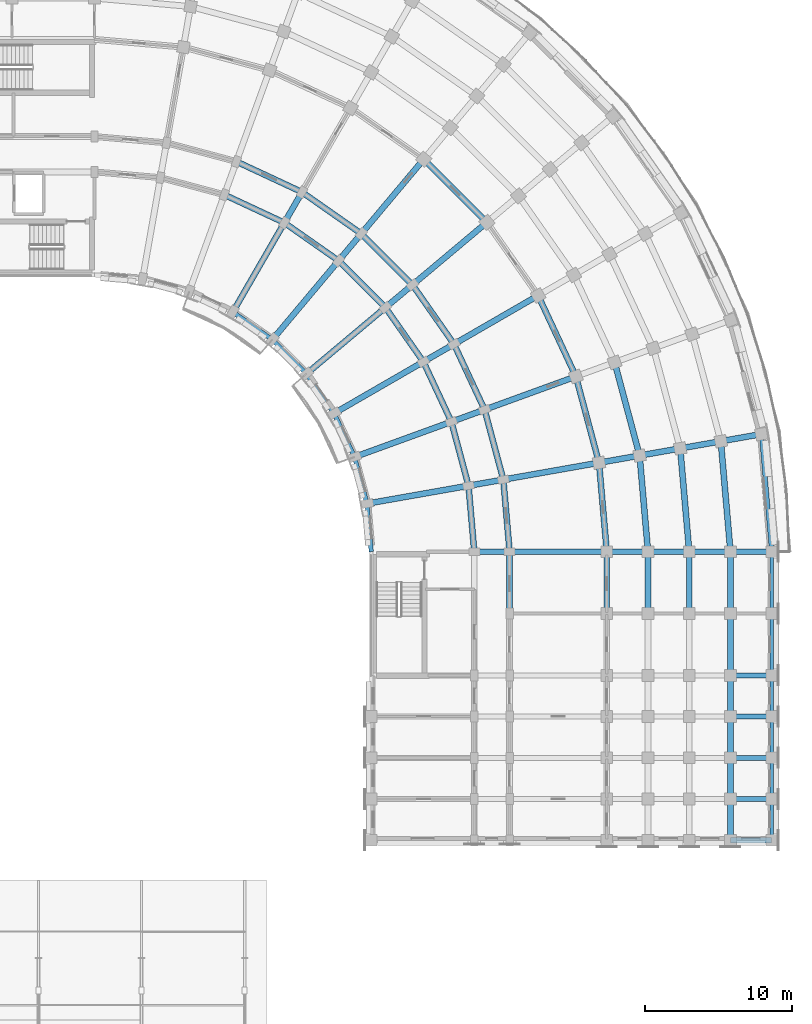
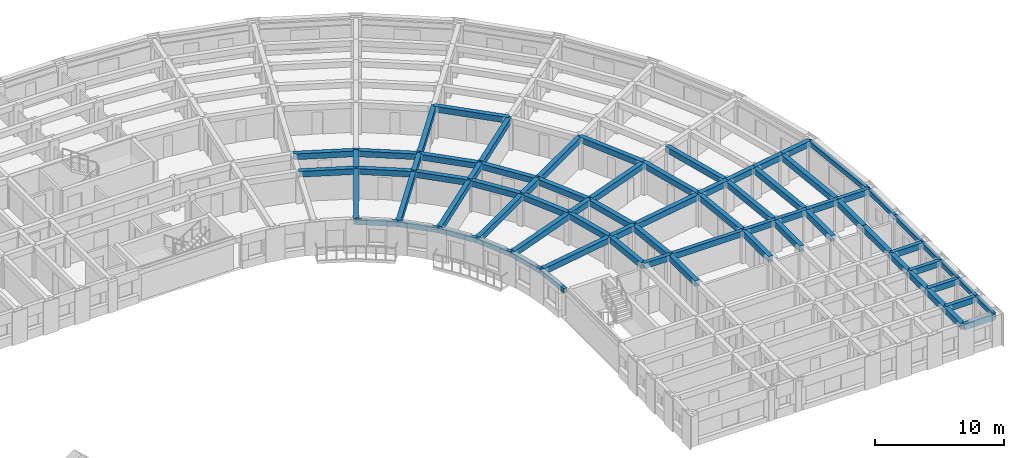
# One storey, part 24 of 76: 77 beams.
"""IFC4 building model written with IfcOpenShell, lengths in metres."""

from ifc_helpers import new_model, si_unit, direction, frame, origin, origin_2d, place, context, subcontext, project, spatial, rectangle, extrude, material, material_profile, profile_set, type_object, element, save


model = new_model("IFC4")

# Units and contexts
model_context = context("Model", 3, precision=1e-05, world=origin(), true_north=direction((0.0, 1.0)))
body_context = subcontext(model_context, "Body", "Model", "MODEL_VIEW")
ifc_project = project(units=[si_unit("LENGTHUNIT", "METRE"), si_unit("AREAUNIT", "SQUARE_METRE"), si_unit("VOLUMEUNIT", "CUBIC_METRE"), si_unit("PLANEANGLEUNIT", "RADIAN"), si_unit("MASSUNIT", "GRAM", prefix="KILO")], contexts=[model_context])

# Site, building, storey
site_placement = place(None, origin())
site = spatial("IfcSite", under=ifc_project, at=site_placement, CompositionType="ELEMENT")
building_placement = place(site_placement, origin())
building = spatial("IfcBuilding", under=site, at=building_placement, Name="Kiranvali Square Residences", CompositionType="ELEMENT")
storey_placement = place(building_placement, frame((0.0, 0.0, 8.699951171875)))
storey = spatial("IfcBuildingStorey", under=building, at=storey_placement, Name="L02", CompositionType="ELEMENT", Elevation=8.699951171875)

# Beams
ifc_material_1 = material(Name="Concrete M40 (40 MPa)", Category="concrete")
ifc_material_profile_1 = material_profile(ifc_material_1, rectangle(XDim=0.35009765625, YDim=0.550048828125, at=origin_2d()), Name="RC 350x550")
ifc_profile_set_1 = profile_set([ifc_material_profile_1], Name="Concrete M40 (40 MPa)")
beam_type_1 = type_object("IfcBeamType", Name="BM-M40-350x550", PredefinedType="BEAM", material=ifc_profile_set_1)
beam_1_placement = place(storey_placement, frame((145.60009765625, 87.800048828125, 2.655029296875), z_axis=(1.0, 0.0, 0.0), x_axis=(0.0, 1.0, 0.0)))
element("IfcBeam", 1, at=beam_1_placement, inside=storey, type_object=beam_type_1, Name="L02 beam BM-B-L02-A2T0-12", PredefinedType="BEAM", context=body_context, shape_type="SweptSolid", body=[
    extrude(rectangle(XDim=0.35009765625, YDim=0.550048828125, at=origin_2d()), origin(), (0.0, 0.0, 1.0), 2.39990234375),
])
beam_2_placement = place(storey_placement, frame((148.0, 87.800048828125, 2.655029296875), z_axis=(1.0, 0.0, 0.0), x_axis=(0.0, 1.0, 0.0)))
element("IfcBeam", 2, at=beam_2_placement, inside=storey, type_object=beam_type_1, Name="L02 beam BM-B-L02-A2T0-23", PredefinedType="BEAM", context=body_context, shape_type="SweptSolid", body=[
    extrude(rectangle(XDim=0.35009765625, YDim=0.550048828125, at=origin_2d()), origin(), (0.0, 0.0, 1.0), 6.60009765625),
])
beam_3_placement = place(storey_placement, frame((154.60009765625, 87.800048828125, 2.655029296875), z_axis=(1.0, 0.0, 0.0), x_axis=(0.0, 1.0, 0.0)))
element("IfcBeam", 3, at=beam_3_placement, inside=storey, type_object=beam_type_1, Name="L02 beam BM-B-L02-A2T0-34", PredefinedType="BEAM", context=body_context, shape_type="SweptSolid", body=[
    extrude(rectangle(XDim=0.35009765625, YDim=0.550048828125, at=origin_2d()), origin(), (0.0, 0.0, 1.0), 2.7998046875),
])
for number, where, z_axis, x_axis, name in (
    (4, (157.39990234375, 87.800048828125, 2.655029296875), (1.0, 0.0, 0.0), (0.0, 1.0, 0.0), "L02 beam BM-B-L02-A2T0-45"),
    (5, (160.199951171875, 87.800048828125, 2.655029296875), (1.0, 0.0, 0.0), (0.0, 1.0, 0.0), "L02 beam BM-B-L02-A2T0-56"),
    (6, (163.0, 87.800048828125, 2.655029296875), (1.0, 0.0, 0.0), (0.0, 1.0, 0.0), "L02 beam BM-B-L02-A2T0-67"),
    (7, (163.0, 79.39990234375, 2.655029296875), (1.0, 0.0, 0.0), (0.0, 1.0, 0.0), "L02 beam BM-B-L02-A2T1-67"),
    (8, (163.0, 76.60009765625, 2.655029296875), (1.0, 0.0, 0.0), (0.0, 1.0, 0.0), "L02 beam BM-B-L02-A2T2-67"),
    (9, (163.0, 73.800048828125, 2.655029296875), (1.0, 0.0, 0.0), (0.0, 1.0, 0.0), "L02 beam BM-B-L02-A2T3-67"),
    (10, (163.0, 71.0, 2.655029296875), (1.0, 0.0, 0.0), (0.0, 1.0, 0.0), "L02 beam BM-B-L02-A2T4-67"),
    (11, (163.0, 68.199951171875, 2.655029296875), (1.0, 0.0, 0.0), (0.0, 1.0, 0.0), "L02 beam BM-B-L02-A2T5-67"),
):
    element("IfcBeam", number, at=place(storey_placement, frame(where, z_axis=z_axis, x_axis=x_axis)), inside=storey, type_object=beam_type_1, Name=name, PredefinedType="BEAM", context=body_context, shape_type="SweptSolid", body=[
        extrude(rectangle(XDim=0.35009765625, YDim=0.550048828125, at=origin_2d()), origin(), (0.0, 0.0, 1.0), 2.800048828125),
    ])
ifc_material_2 = material(Name="Concrete M45 (45 MPa)", Category="concrete")
ifc_material_profile_2 = material_profile(ifc_material_2, rectangle(XDim=0.39990234375, YDim=0.550048828125, at=origin_2d()), Name="RC 400x550")
ifc_profile_set_2 = profile_set([ifc_material_profile_2], Name="Concrete M45 (45 MPa)")
beam_type_2 = type_object("IfcBeamType", Name="BM-M45-400x550", PredefinedType="BEAM", material=ifc_profile_set_2)
beam_4_placement = place(storey_placement, frame((128.6240234375, 112.044189453125, 2.655029296875), z_axis=(0.906307919131, -0.422617978463, 0.0), x_axis=(0.422617978463, 0.906307919131, 0.0)))
element("IfcBeam", 12, at=beam_4_placement, inside=storey, type_object=beam_type_2, Name="L02 beam BM-B-L02-C02-R1", PredefinedType="BEAM", context=body_context, shape_type="SweptSolid", body=[
    extrude(rectangle(XDim=0.39990234375, YDim=0.550048828125, at=origin_2d()), origin(), (0.0, 0.0, 1.0), 4.497314453125),
])
beam_5_placement = place(storey_placement, frame((129.445068359375, 114.29931640625, 2.655029296875), z_axis=(0.906302381024, -0.422629854778, 0.0), x_axis=(0.422629854778, 0.906302381024, 0.0)))
element("IfcBeam", 13, at=beam_5_placement, inside=storey, type_object=beam_type_2, Name="L02 beam BM-B-L02-C02-R2", PredefinedType="BEAM", context=body_context, shape_type="SweptSolid", body=[
    extrude(rectangle(XDim=0.39990234375, YDim=0.550048828125, at=origin_2d()), origin(), (0.0, 0.0, 1.0), 4.915283203125),
])
beam_6_placement = place(storey_placement, frame((132.699951171875, 110.1435546875, 2.655029296875), z_axis=(0.819155404658, -0.573571637217, 0.0), x_axis=(0.573571637217, 0.819155404658, 0.0)))
element("IfcBeam", 14, at=beam_6_placement, inside=storey, type_object=beam_type_2, Name="L02 beam BM-B-L02-C03-R1", PredefinedType="BEAM", context=body_context, shape_type="SweptSolid", body=[
    extrude(rectangle(XDim=0.39990234375, YDim=0.550048828125, at=origin_2d()), origin(), (0.0, 0.0, 1.0), 4.497314453125),
])
beam_7_placement = place(storey_placement, frame((133.89990234375, 112.221923828125, 2.655029296875), z_axis=(0.819140911474, -0.573592335331, 0.0), x_axis=(0.573592335331, 0.819140911474, 0.0)))
element("IfcBeam", 15, at=beam_7_placement, inside=storey, type_object=beam_type_2, Name="L02 beam BM-B-L02-C03-R2", PredefinedType="BEAM", context=body_context, shape_type="SweptSolid", body=[
    extrude(rectangle(XDim=0.39990234375, YDim=0.550048828125, at=origin_2d()), origin(), (0.0, 0.0, 1.0), 4.915771484375),
])
beam_8_placement = place(storey_placement, frame((136.384033203125, 107.56396484375, 2.655029296875), z_axis=(0.707106781187, -0.707106781187, 0.0), x_axis=(0.707106781187, 0.707106781187, 0.0)))
element("IfcBeam", 16, at=beam_8_placement, inside=storey, type_object=beam_type_2, Name="L02 beam BM-B-L02-C04-R1", PredefinedType="BEAM", context=body_context, shape_type="SweptSolid", body=[
    extrude(rectangle(XDim=0.39990234375, YDim=0.550048828125, at=origin_2d()), origin(), (0.0, 0.0, 1.0), 4.4970703125),
])
beam_9_placement = place(storey_placement, frame((137.926513671875, 109.40234375, 2.655029296875), z_axis=(0.707106781187, -0.707106781187, 0.0), x_axis=(0.707106781187, 0.707106781187, 0.0)))
element("IfcBeam", 17, at=beam_9_placement, inside=storey, type_object=beam_type_2, Name="L02 beam BM-B-L02-C04-R2", PredefinedType="BEAM", context=body_context, shape_type="SweptSolid", body=[
    extrude(rectangle(XDim=0.39990234375, YDim=0.550048828125, at=origin_2d()), origin(), (0.0, 0.0, 1.0), 4.91552734375),
])
beam_10_placement = place(storey_placement, frame((142.1689453125, 114.458251953125, 2.655029296875), z_axis=(0.707106781187, -0.707106781187, 0.0), x_axis=(0.707106781187, 0.707106781187, 0.0)))
element("IfcBeam", 18, at=beam_10_placement, inside=storey, type_object=beam_type_2, Name="L02 beam BM-B-L02-C04-R3", PredefinedType="BEAM", context=body_context, shape_type="SweptSolid", body=[
    extrude(rectangle(XDim=0.39990234375, YDim=0.550048828125, at=origin_2d()), origin(), (0.0, 0.0, 1.0), 6.06591796875),
])
beam_11_placement = place(storey_placement, frame((139.56396484375, 104.384033203125, 2.655029296875), z_axis=(0.573571637217, -0.819155404658, 0.0), x_axis=(0.819155404658, 0.573571637217, 0.0)))
element("IfcBeam", 19, at=beam_11_placement, inside=storey, type_object=beam_type_2, Name="L02 beam BM-B-L02-C05-R1", PredefinedType="BEAM", context=body_context, shape_type="SweptSolid", body=[
    extrude(rectangle(XDim=0.39990234375, YDim=0.550048828125, at=origin_2d()), origin(), (0.0, 0.0, 1.0), 4.497314453125),
])
beam_12_placement = place(storey_placement, frame((141.40234375, 105.926513671875, 2.655029296875), z_axis=(0.573592335331, -0.819140911474, 0.0), x_axis=(0.819140911474, 0.573592335331, 0.0)))
element("IfcBeam", 20, at=beam_12_placement, inside=storey, type_object=beam_type_2, Name="L02 beam BM-B-L02-C05-R2", PredefinedType="BEAM", context=body_context, shape_type="SweptSolid", body=[
    extrude(rectangle(XDim=0.39990234375, YDim=0.550048828125, at=origin_2d()), origin(), (0.0, 0.0, 1.0), 4.915771484375),
])
beam_13_placement = place(storey_placement, frame((142.1435546875, 100.699951171875, 2.655029296875), z_axis=(0.422617978463, -0.906307919131, 0.0), x_axis=(0.906307919131, 0.422617978463, 0.0)))
element("IfcBeam", 21, at=beam_13_placement, inside=storey, type_object=beam_type_2, Name="L02 beam BM-B-L02-C06-R1", PredefinedType="BEAM", context=body_context, shape_type="SweptSolid", body=[
    extrude(rectangle(XDim=0.39990234375, YDim=0.550048828125, at=origin_2d()), origin(), (0.0, 0.0, 1.0), 4.497314453125),
])
beam_14_placement = place(storey_placement, frame((144.221923828125, 101.89990234375, 2.655029296875), z_axis=(0.422629854778, -0.906302381024, 0.0), x_axis=(0.906302381024, 0.422629854778, 0.0)))
element("IfcBeam", 22, at=beam_14_placement, inside=storey, type_object=beam_type_2, Name="L02 beam BM-B-L02-C06-R2", PredefinedType="BEAM", context=body_context, shape_type="SweptSolid", body=[
    extrude(rectangle(XDim=0.39990234375, YDim=0.550048828125, at=origin_2d()), origin(), (0.0, 0.0, 1.0), 4.915283203125),
])
beam_15_placement = place(storey_placement, frame((149.937744140625, 105.199951171875, 2.655029296875), z_axis=(0.42260781991, -0.906312656069, 0.0), x_axis=(0.906312656069, 0.42260781991, 0.0)))
element("IfcBeam", 23, at=beam_15_placement, inside=storey, type_object=beam_type_2, Name="L02 beam BM-B-L02-C06-R3", PredefinedType="BEAM", context=body_context, shape_type="SweptSolid", body=[
    extrude(rectangle(XDim=0.39990234375, YDim=0.550048828125, at=origin_2d()), origin(), (0.0, 0.0, 1.0), 6.06591796875),
])
beam_16_placement = place(storey_placement, frame((144.044189453125, 96.6240234375, 2.655029296875), z_axis=(0.258787642463, -0.965934240054, 0.0), x_axis=(0.965934240054, 0.258787642463, 0.0)))
element("IfcBeam", 24, at=beam_16_placement, inside=storey, type_object=beam_type_2, Name="L02 beam BM-B-L02-C07-R1", PredefinedType="BEAM", context=body_context, shape_type="SweptSolid", body=[
    extrude(rectangle(XDim=0.39990234375, YDim=0.550048828125, at=origin_2d()), origin(), (0.0, 0.0, 1.0), 4.497314453125),
])
beam_17_placement = place(storey_placement, frame((146.29931640625, 97.445068359375, 2.655029296875), z_axis=(0.258803112091, -0.965930095386, 0.0), x_axis=(0.965930095386, 0.258803112091, 0.0)))
element("IfcBeam", 25, at=beam_17_placement, inside=storey, type_object=beam_type_2, Name="L02 beam BM-B-L02-C07-R2", PredefinedType="BEAM", context=body_context, shape_type="SweptSolid", body=[
    extrude(rectangle(XDim=0.39990234375, YDim=0.550048828125, at=origin_2d()), origin(), (0.0, 0.0, 1.0), 4.915771484375),
])
beam_18_placement = place(storey_placement, frame((152.501220703125, 99.702392578125, 2.655029296875), z_axis=(0.258827283048, -0.965923618901, 0.0), x_axis=(0.965923618901, 0.258827283048, 0.0)))
element("IfcBeam", 26, at=beam_18_placement, inside=storey, type_object=beam_type_2, Name="L02 beam BM-B-L02-C07-R3", PredefinedType="BEAM", context=body_context, shape_type="SweptSolid", body=[
    extrude(rectangle(XDim=0.39990234375, YDim=0.550048828125, at=origin_2d()), origin(), (0.0, 0.0, 1.0), 6.066162109375),
])
beam_19_placement = place(storey_placement, frame((155.13232421875, 100.659912109375, 2.655029296875), z_axis=(0.258847178297, -0.965918287583, 0.0), x_axis=(0.965918287583, 0.258847178297, 0.0)))
element("IfcBeam", 27, at=beam_19_placement, inside=storey, type_object=beam_type_2, Name="L02 beam BM-B-L02-C07-R4", PredefinedType="BEAM", context=body_context, shape_type="SweptSolid", body=[
    extrude(rectangle(XDim=0.39990234375, YDim=0.550048828125, at=origin_2d()), origin(), (0.0, 0.0, 1.0), 6.55419921875),
])
beam_20_placement = place(storey_placement, frame((145.2080078125, 92.280029296875, 2.655029296875), z_axis=(0.087187153726, -0.996191949488, 0.0), x_axis=(0.996191949488, 0.087187153726, 0.0)))
element("IfcBeam", 28, at=beam_20_placement, inside=storey, type_object=beam_type_2, Name="L02 beam BM-B-L02-C08-R1", PredefinedType="BEAM", context=body_context, shape_type="SweptSolid", body=[
    extrude(rectangle(XDim=0.39990234375, YDim=0.550048828125, at=origin_2d()), origin(), (0.0, 0.0, 1.0), 4.4970703125),
])
beam_21_placement = place(storey_placement, frame((147.571533203125, 92.69677734375, 2.655029296875), z_axis=(0.087167566415, -0.996193663584, 0.0), x_axis=(0.996193663584, 0.087167566415, 0.0)))
element("IfcBeam", 29, at=beam_21_placement, inside=storey, type_object=beam_type_2, Name="L02 beam BM-B-L02-C08-R2", PredefinedType="BEAM", context=body_context, shape_type="SweptSolid", body=[
    extrude(rectangle(XDim=0.39990234375, YDim=0.550048828125, at=origin_2d()), origin(), (0.0, 0.0, 1.0), 4.91552734375),
])
beam_22_placement = place(storey_placement, frame((154.0712890625, 93.843017578125, 2.655029296875), z_axis=(0.087174938512, -0.996193018494, 0.0), x_axis=(0.996193018494, 0.087174938512, 0.0)))
element("IfcBeam", 30, at=beam_22_placement, inside=storey, type_object=beam_type_2, Name="L02 beam BM-B-L02-C08-R3", PredefinedType="BEAM", context=body_context, shape_type="SweptSolid", body=[
    extrude(rectangle(XDim=0.39990234375, YDim=0.550048828125, at=origin_2d()), origin(), (0.0, 0.0, 1.0), 6.066162109375),
])
beam_23_placement = place(storey_placement, frame((156.828857421875, 94.3291015625, 2.655029296875), z_axis=(0.0871295204, -0.996196991902, 0.0), x_axis=(0.996196991902, 0.0871295204, 0.0)))
element("IfcBeam", 31, at=beam_23_placement, inside=storey, type_object=beam_type_2, Name="L02 beam BM-B-L02-C08-R4", PredefinedType="BEAM", context=body_context, shape_type="SweptSolid", body=[
    extrude(rectangle(XDim=0.39990234375, YDim=0.550048828125, at=origin_2d()), origin(), (0.0, 0.0, 1.0), 6.553955078125),
])
beam_24_placement = place(storey_placement, frame((159.586181640625, 94.8154296875, 2.655029296875), z_axis=(0.087156198737, -0.996194658198, 0.0), x_axis=(0.996194658198, 0.087156198737, 0.0)))
element("IfcBeam", 32, at=beam_24_placement, inside=storey, type_object=beam_type_2, Name="L02 beam BM-B-L02-C08-R5", PredefinedType="BEAM", context=body_context, shape_type="SweptSolid", body=[
    extrude(rectangle(XDim=0.39990234375, YDim=0.550048828125, at=origin_2d()), origin(), (0.0, 0.0, 1.0), 7.042236328125),
])
beam_25_placement = place(storey_placement, frame((162.34375, 95.301513671875, 2.655029296875), z_axis=(0.087150058103, -0.996195195417, 0.0), x_axis=(0.996195195417, 0.087150058103, 0.0)))
element("IfcBeam", 33, at=beam_25_placement, inside=storey, type_object=beam_type_2, Name="L02 beam BM-B-L02-C08-R6", PredefinedType="BEAM", context=body_context, shape_type="SweptSolid", body=[
    extrude(rectangle(XDim=0.39990234375, YDim=0.550048828125, at=origin_2d()), origin(), (0.0, 0.0, 1.0), 7.530029296875),
])
beam_26_placement = place(storey_placement, frame((129.199951171875, 104.081298828125, 2.655029296875), z_axis=(0.499995173006, 0.866028190633, 0.0), x_axis=(-0.866028190633, 0.499995173006, 0.0)))
element("IfcBeam", 34, at=beam_26_placement, inside=storey, type_object=beam_type_2, Name="L02 beam BM-B-L02-RAD03-01", PredefinedType="BEAM", context=body_context, shape_type="SweptSolid", body=[
    extrude(rectangle(XDim=0.39990234375, YDim=0.550048828125, at=origin_2d()), origin(), (0.0, 0.0, 1.0), 7.0),
])
beam_27_placement = place(storey_placement, frame((132.699951171875, 110.1435546875, 2.655029296875), z_axis=(0.500001309137, 0.866024647952, 0.0), x_axis=(-0.866024647952, 0.500001309137, 0.0)))
element("IfcBeam", 35, at=beam_27_placement, inside=storey, type_object=beam_type_2, Name="L02 beam BM-B-L02-RAD03-12", PredefinedType="BEAM", context=body_context, shape_type="SweptSolid", body=[
    extrude(rectangle(XDim=0.39990234375, YDim=0.550048828125, at=origin_2d()), origin(), (0.0, 0.0, 1.0), 2.39990234375),
])
beam_28_placement = place(storey_placement, frame((131.884521484375, 102.20166015625, 2.655029296875), z_axis=(0.642787931032, 0.766044173478, 0.0), x_axis=(-0.766044173478, 0.642787931032, 0.0)))
element("IfcBeam", 36, at=beam_28_placement, inside=storey, type_object=beam_type_2, Name="L02 beam BM-B-L02-RAD04-01", PredefinedType="BEAM", context=body_context, shape_type="SweptSolid", body=[
    extrude(rectangle(XDim=0.39990234375, YDim=0.550048828125, at=origin_2d()), origin(), (0.0, 0.0, 1.0), 7.0),
])
beam_29_placement = place(storey_placement, frame((136.384033203125, 107.56396484375, 2.655029296875), z_axis=(0.642762521781, 0.766065493671, 0.0), x_axis=(-0.766065493671, 0.642762521781, 0.0)))
element("IfcBeam", 37, at=beam_29_placement, inside=storey, type_object=beam_type_2, Name="L02 beam BM-B-L02-RAD04-12", PredefinedType="BEAM", context=body_context, shape_type="SweptSolid", body=[
    extrude(rectangle(XDim=0.39990234375, YDim=0.550048828125, at=origin_2d()), origin(), (0.0, 0.0, 1.0), 2.399658203125),
])
beam_30_placement = place(storey_placement, frame((137.926513671875, 109.40234375, 2.655029296875), z_axis=(0.642789470807, 0.766042881449, 0.0), x_axis=(-0.766042881449, 0.642789470807, 0.0)))
element("IfcBeam", 38, at=beam_30_placement, inside=storey, type_object=beam_type_2, Name="L02 beam BM-B-L02-RAD04-23", PredefinedType="BEAM", context=body_context, shape_type="SweptSolid", body=[
    extrude(rectangle(XDim=0.39990234375, YDim=0.550048828125, at=origin_2d()), origin(), (0.0, 0.0, 1.0), 6.60009765625),
])
beam_31_placement = place(storey_placement, frame((134.20166015625, 99.884521484375, 2.655029296875), z_axis=(0.766044173478, 0.642787931032, 0.0), x_axis=(-0.642787931032, 0.766044173478, 0.0)))
element("IfcBeam", 39, at=beam_31_placement, inside=storey, type_object=beam_type_2, Name="L02 beam BM-B-L02-RAD05-01", PredefinedType="BEAM", context=body_context, shape_type="SweptSolid", body=[
    extrude(rectangle(XDim=0.39990234375, YDim=0.550048828125, at=origin_2d()), origin(), (0.0, 0.0, 1.0), 7.0),
])
beam_32_placement = place(storey_placement, frame((139.56396484375, 104.384033203125, 2.655029296875), z_axis=(0.766065493671, 0.642762521781, 0.0), x_axis=(-0.642762521781, 0.766065493671, 0.0)))
element("IfcBeam", 40, at=beam_32_placement, inside=storey, type_object=beam_type_2, Name="L02 beam BM-B-L02-RAD05-12", PredefinedType="BEAM", context=body_context, shape_type="SweptSolid", body=[
    extrude(rectangle(XDim=0.39990234375, YDim=0.550048828125, at=origin_2d()), origin(), (0.0, 0.0, 1.0), 2.399658203125),
])
beam_33_placement = place(storey_placement, frame((141.40234375, 105.926513671875, 2.655029296875), z_axis=(0.766042881449, 0.642789470807, 0.0), x_axis=(-0.642789470807, 0.766042881449, 0.0)))
element("IfcBeam", 41, at=beam_33_placement, inside=storey, type_object=beam_type_2, Name="L02 beam BM-B-L02-RAD05-23", PredefinedType="BEAM", context=body_context, shape_type="SweptSolid", body=[
    extrude(rectangle(XDim=0.39990234375, YDim=0.550048828125, at=origin_2d()), origin(), (0.0, 0.0, 1.0), 6.60009765625),
])
beam_34_placement = place(storey_placement, frame((136.081298828125, 97.199951171875, 2.655029296875), z_axis=(0.866028190633, 0.499995173006, 0.0), x_axis=(-0.499995173006, 0.866028190633, 0.0)))
element("IfcBeam", 42, at=beam_34_placement, inside=storey, type_object=beam_type_2, Name="L02 beam BM-B-L02-RAD06-01", PredefinedType="BEAM", context=body_context, shape_type="SweptSolid", body=[
    extrude(rectangle(XDim=0.39990234375, YDim=0.550048828125, at=origin_2d()), origin(), (0.0, 0.0, 1.0), 7.0),
])
beam_35_placement = place(storey_placement, frame((142.1435546875, 100.699951171875, 2.655029296875), z_axis=(0.866024647952, 0.500001309137, 0.0), x_axis=(-0.500001309137, 0.866024647952, 0.0)))
element("IfcBeam", 43, at=beam_35_placement, inside=storey, type_object=beam_type_2, Name="L02 beam BM-B-L02-RAD06-12", PredefinedType="BEAM", context=body_context, shape_type="SweptSolid", body=[
    extrude(rectangle(XDim=0.39990234375, YDim=0.550048828125, at=origin_2d()), origin(), (0.0, 0.0, 1.0), 2.39990234375),
])
beam_36_placement = place(storey_placement, frame((144.221923828125, 101.89990234375, 2.655029296875), z_axis=(0.866024194504, 0.500002094529, 0.0), x_axis=(-0.500002094529, 0.866024194504, 0.0)))
element("IfcBeam", 44, at=beam_36_placement, inside=storey, type_object=beam_type_2, Name="L02 beam BM-B-L02-RAD06-23", PredefinedType="BEAM", context=body_context, shape_type="SweptSolid", body=[
    extrude(rectangle(XDim=0.39990234375, YDim=0.550048828125, at=origin_2d()), origin(), (0.0, 0.0, 1.0), 6.60009765625),
])
beam_37_placement = place(storey_placement, frame((137.46630859375, 94.22998046875, 2.655029296875), z_axis=(0.939697665127, 0.342006283793, 0.0), x_axis=(-0.342006283793, 0.939697665127, 0.0)))
element("IfcBeam", 45, at=beam_37_placement, inside=storey, type_object=beam_type_2, Name="L02 beam BM-B-L02-RAD07-01", PredefinedType="BEAM", context=body_context, shape_type="SweptSolid", body=[
    extrude(rectangle(XDim=0.39990234375, YDim=0.550048828125, at=origin_2d()), origin(), (0.0, 0.0, 1.0), 7.0),
])
beam_38_placement = place(storey_placement, frame((144.044189453125, 96.6240234375, 2.655029296875), z_axis=(0.939659694648, 0.342110593602, 0.0), x_axis=(-0.342110593602, 0.939659694648, 0.0)))
element("IfcBeam", 46, at=beam_38_placement, inside=storey, type_object=beam_type_2, Name="L02 beam BM-B-L02-RAD07-12", PredefinedType="BEAM", context=body_context, shape_type="SweptSolid", body=[
    extrude(rectangle(XDim=0.39990234375, YDim=0.550048828125, at=origin_2d()), origin(), (0.0, 0.0, 1.0), 2.39990234375),
])
beam_39_placement = place(storey_placement, frame((146.29931640625, 97.445068359375, 2.655029296875), z_axis=(0.939691858249, 0.342022238372, 0.0), x_axis=(-0.342022238372, 0.939691858249, 0.0)))
element("IfcBeam", 47, at=beam_39_placement, inside=storey, type_object=beam_type_2, Name="L02 beam BM-B-L02-RAD07-23", PredefinedType="BEAM", context=body_context, shape_type="SweptSolid", body=[
    extrude(rectangle(XDim=0.39990234375, YDim=0.550048828125, at=origin_2d()), origin(), (0.0, 0.0, 1.0), 6.599853515625),
])
beam_40_placement = place(storey_placement, frame((138.314453125, 91.064697265625, 2.655029296875), z_axis=(0.984812337125, 0.173622177865, 0.0), x_axis=(-0.173622177865, 0.984812337125, 0.0)))
element("IfcBeam", 48, at=beam_40_placement, inside=storey, type_object=beam_type_2, Name="L02 beam BM-B-L02-RAD08-01", PredefinedType="BEAM", context=body_context, shape_type="SweptSolid", body=[
    extrude(rectangle(XDim=0.39990234375, YDim=0.550048828125, at=origin_2d()), origin(), (0.0, 0.0, 1.0), 6.999755859375),
])
beam_41_placement = place(storey_placement, frame((145.2080078125, 92.280029296875, 2.655029296875), z_axis=(0.984808127031, 0.173646056486, 0.0), x_axis=(-0.173646056486, 0.984808127031, 0.0)))
element("IfcBeam", 49, at=beam_41_placement, inside=storey, type_object=beam_type_2, Name="L02 beam BM-B-L02-RAD08-12", PredefinedType="BEAM", context=body_context, shape_type="SweptSolid", body=[
    extrude(rectangle(XDim=0.39990234375, YDim=0.550048828125, at=origin_2d()), origin(), (0.0, 0.0, 1.0), 2.39990234375),
])
beam_42_placement = place(storey_placement, frame((147.571533203125, 92.69677734375, 2.655029296875), z_axis=(0.984803661269, 0.173671381499, 0.0), x_axis=(-0.173671381499, 0.984803661269, 0.0)))
element("IfcBeam", 50, at=beam_42_placement, inside=storey, type_object=beam_type_2, Name="L02 beam BM-B-L02-RAD08-23", PredefinedType="BEAM", context=body_context, shape_type="SweptSolid", body=[
    extrude(rectangle(XDim=0.39990234375, YDim=0.550048828125, at=origin_2d()), origin(), (0.0, 0.0, 1.0), 6.60009765625),
])
beam_43_placement = place(storey_placement, frame((154.0712890625, 93.843017578125, 2.655029296875), z_axis=(0.984816895441, 0.173596320392, 0.0), x_axis=(-0.173596320392, 0.984816895441, 0.0)))
element("IfcBeam", 51, at=beam_43_placement, inside=storey, type_object=beam_type_2, Name="L02 beam BM-B-L02-RAD08-34", PredefinedType="BEAM", context=body_context, shape_type="SweptSolid", body=[
    extrude(rectangle(XDim=0.39990234375, YDim=0.550048828125, at=origin_2d()), origin(), (0.0, 0.0, 1.0), 2.800048828125),
])
beam_44_placement = place(storey_placement, frame((156.828857421875, 94.3291015625, 2.655029296875), z_axis=(0.984799355489, 0.173695795656, 0.0), x_axis=(-0.173695795656, 0.984799355489, 0.0)))
element("IfcBeam", 52, at=beam_44_placement, inside=storey, type_object=beam_type_2, Name="L02 beam BM-B-L02-RAD08-45", PredefinedType="BEAM", context=body_context, shape_type="SweptSolid", body=[
    extrude(rectangle(XDim=0.39990234375, YDim=0.550048828125, at=origin_2d()), origin(), (0.0, 0.0, 1.0), 2.7998046875),
])
beam_45_placement = place(storey_placement, frame((159.586181640625, 94.8154296875, 2.655029296875), z_axis=(0.984816895441, 0.173596320392, 0.0), x_axis=(-0.173596320392, 0.984816895441, 0.0)))
element("IfcBeam", 53, at=beam_45_placement, inside=storey, type_object=beam_type_2, Name="L02 beam BM-B-L02-RAD08-56", PredefinedType="BEAM", context=body_context, shape_type="SweptSolid", body=[
    extrude(rectangle(XDim=0.39990234375, YDim=0.550048828125, at=origin_2d()), origin(), (0.0, 0.0, 1.0), 2.800048828125),
])
beam_46_placement = place(storey_placement, frame((162.34375, 95.301513671875, 2.655029296875), z_axis=(0.984799355489, 0.173695795656, 0.0), x_axis=(-0.173695795656, 0.984799355489, 0.0)))
element("IfcBeam", 54, at=beam_46_placement, inside=storey, type_object=beam_type_2, Name="L02 beam BM-B-L02-RAD08-67", PredefinedType="BEAM", context=body_context, shape_type="SweptSolid", body=[
    extrude(rectangle(XDim=0.39990234375, YDim=0.550048828125, at=origin_2d()), origin(), (0.0, 0.0, 1.0), 2.7998046875),
])
for number, where, z_axis, x_axis, name in (
    (55, (148.0, 87.800048828125, 2.655029296875), (0.0, -1.0, 0.0), (1.0, 0.0, 0.0), "L02 beam BM-B-L02-A2V0-R2"),
    (56, (154.60009765625, 87.800048828125, 2.655029296875), (0.0, -1.0, 0.0), (1.0, 0.0, 0.0), "L02 beam BM-B-L02-A2V0-R3"),
    (57, (157.39990234375, 87.800048828125, 2.655029296875), (0.0, -1.0, 0.0), (1.0, 0.0, 0.0), "L02 beam BM-B-L02-A2V0-R4"),
    (58, (160.199951171875, 87.800048828125, 2.655029296875), (0.0, -1.0, 0.0), (1.0, 0.0, 0.0), "L02 beam BM-B-L02-A2V0-R5"),
    (59, (163.0, 87.800048828125, 2.655029296875), (0.0, -1.0, 0.0), (1.0, 0.0, 0.0), "L02 beam BM-B-L02-A2V0-R6"),
):
    element("IfcBeam", number, at=place(storey_placement, frame(where, z_axis=z_axis, x_axis=x_axis)), inside=storey, type_object=beam_type_2, Name=name, PredefinedType="BEAM", context=body_context, shape_type="SweptSolid", body=[
        extrude(rectangle(XDim=0.39990234375, YDim=0.550048828125, at=origin_2d()), origin(), (0.0, 0.0, 1.0), 4.199951171875),
    ])
beam_47_placement = place(storey_placement, frame((163.0, 83.60009765625, 2.655029296875), z_axis=(0.0, -1.0, 0.0), x_axis=(1.0, 0.0, 0.0)))
element("IfcBeam", 60, at=beam_47_placement, inside=storey, type_object=beam_type_2, Name="L02 beam BM-B-L02-A2V1-R6", PredefinedType="BEAM", context=body_context, shape_type="SweptSolid", body=[
    extrude(rectangle(XDim=0.39990234375, YDim=0.550048828125, at=origin_2d()), origin(), (0.0, 0.0, 1.0), 4.2001953125),
])
beam_48_placement = place(storey_placement, frame((163.0, 79.39990234375, 2.655029296875), z_axis=(0.0, -1.0, 0.0), x_axis=(1.0, 0.0, 0.0)))
element("IfcBeam", 61, at=beam_48_placement, inside=storey, type_object=beam_type_2, Name="L02 beam BM-B-L02-A2V2-R6", PredefinedType="BEAM", context=body_context, shape_type="SweptSolid", body=[
    extrude(rectangle(XDim=0.39990234375, YDim=0.550048828125, at=origin_2d()), origin(), (0.0, 0.0, 1.0), 2.7998046875),
])
for number, where, z_axis, x_axis, name in (
    (62, (163.0, 76.60009765625, 2.655029296875), (0.0, -1.0, 0.0), (1.0, 0.0, 0.0), "L02 beam BM-B-L02-A2V3-R6"),
    (63, (163.0, 73.800048828125, 2.655029296875), (0.0, -1.0, 0.0), (1.0, 0.0, 0.0), "L02 beam BM-B-L02-A2V4-R6"),
    (64, (163.0, 71.0, 2.655029296875), (0.0, -1.0, 0.0), (1.0, 0.0, 0.0), "L02 beam BM-B-L02-A2V5-R6"),
):
    element("IfcBeam", number, at=place(storey_placement, frame(where, z_axis=z_axis, x_axis=x_axis)), inside=storey, type_object=beam_type_2, Name=name, PredefinedType="BEAM", context=body_context, shape_type="SweptSolid", body=[
        extrude(rectangle(XDim=0.39990234375, YDim=0.550048828125, at=origin_2d()), origin(), (0.0, 0.0, 1.0), 2.800048828125),
    ])
ifc_material_profile_3 = material_profile(ifc_material_1, rectangle(XDim=0.25, YDim=0.449951171875, at=origin_2d()), Name="RC 250x450")
ifc_profile_set_3 = profile_set([ifc_material_profile_3], Name="Concrete M40 (40 MPa)")
beam_type_3 = type_object("IfcBeamType", Name="SPN-M40-250x450", PredefinedType="SPANDREL", material=ifc_profile_set_3)
beam_49_placement = place(storey_placement, frame((165.800048828125, 87.800048828125, 2.705078125), z_axis=(0.0, -1.0, 0.0), x_axis=(1.0, 0.0, 0.0)))
element("IfcBeam", 65, at=beam_49_placement, inside=storey, type_object=beam_type_3, Name="L02 beam BM-B-L02-A2V0-R7", PredefinedType="SPANDREL", context=body_context, shape_type="SweptSolid", body=[
    extrude(rectangle(XDim=0.25, YDim=0.449951171875, at=origin_2d()), origin(), (0.0, 0.0, 1.0), 4.199951171875),
])
beam_50_placement = place(storey_placement, frame((165.800048828125, 83.60009765625, 2.705078125), z_axis=(0.0, -1.0, 0.0), x_axis=(1.0, 0.0, 0.0)))
element("IfcBeam", 66, at=beam_50_placement, inside=storey, type_object=beam_type_3, Name="L02 beam BM-B-L02-A2V1-R7", PredefinedType="SPANDREL", context=body_context, shape_type="SweptSolid", body=[
    extrude(rectangle(XDim=0.25, YDim=0.449951171875, at=origin_2d()), origin(), (0.0, 0.0, 1.0), 4.2001953125),
])
beam_51_placement = place(storey_placement, frame((165.800048828125, 79.39990234375, 2.705078125), z_axis=(0.0, -1.0, 0.0), x_axis=(1.0, 0.0, 0.0)))
element("IfcBeam", 67, at=beam_51_placement, inside=storey, type_object=beam_type_3, Name="L02 beam BM-B-L02-A2V2-R7", PredefinedType="SPANDREL", context=body_context, shape_type="SweptSolid", body=[
    extrude(rectangle(XDim=0.25, YDim=0.449951171875, at=origin_2d()), origin(), (0.0, 0.0, 1.0), 2.7998046875),
])
for number, where, z_axis, x_axis, name in (
    (68, (165.800048828125, 76.60009765625, 2.705078125), (0.0, -1.0, 0.0), (1.0, 0.0, 0.0), "L02 beam BM-B-L02-A2V3-R7"),
    (69, (165.800048828125, 73.800048828125, 2.705078125), (0.0, -1.0, 0.0), (1.0, 0.0, 0.0), "L02 beam BM-B-L02-A2V4-R7"),
    (70, (165.800048828125, 71.0, 2.705078125), (0.0, -1.0, 0.0), (1.0, 0.0, 0.0), "L02 beam BM-B-L02-A2V5-R7"),
):
    element("IfcBeam", number, at=place(storey_placement, frame(where, z_axis=z_axis, x_axis=x_axis)), inside=storey, type_object=beam_type_3, Name=name, PredefinedType="SPANDREL", context=body_context, shape_type="SweptSolid", body=[
        extrude(rectangle(XDim=0.25, YDim=0.449951171875, at=origin_2d()), origin(), (0.0, 0.0, 1.0), 2.800048828125),
    ])
ifc_material_profile_4 = material_profile(ifc_material_1, rectangle(XDim=0.300048828125, YDim=0.449951171875, at=origin_2d()), Name="RC 300x450")
ifc_profile_set_4 = profile_set([ifc_material_profile_4], Name="Concrete M40 (40 MPa)")
beam_type_4 = type_object("IfcBeamType", Name="SPN-M40-300x450", PredefinedType="SPANDREL", material=ifc_profile_set_4)
beam_52_placement = place(storey_placement, frame((129.199951171875, 104.081298828125, 2.705078125), z_axis=(0.81916891812, -0.573552337269, 0.0), x_axis=(0.573552337269, 0.81916891812, 0.0)))
element("IfcBeam", 71, at=beam_52_placement, inside=storey, type_object=beam_type_4, Name="L02 beam BM-B-L02-C03-R0", PredefinedType="SPANDREL", context=body_context, shape_type="SweptSolid", body=[
    extrude(rectangle(XDim=0.300048828125, YDim=0.449951171875, at=origin_2d()), origin(), (0.0, 0.0, 1.0), 3.277099609375),
])
beam_53_placement = place(storey_placement, frame((131.884521484375, 102.20166015625, 2.705078125), z_axis=(0.707106781187, -0.707106781187, 0.0), x_axis=(0.707106781187, 0.707106781187, 0.0)))
element("IfcBeam", 72, at=beam_53_placement, inside=storey, type_object=beam_type_4, Name="L02 beam BM-B-L02-C04-R0", PredefinedType="SPANDREL", context=body_context, shape_type="SweptSolid", body=[
    extrude(rectangle(XDim=0.300048828125, YDim=0.449951171875, at=origin_2d()), origin(), (0.0, 0.0, 1.0), 3.27685546875),
])
for number, where, z_axis, x_axis, name in (
    (73, (134.20166015625, 99.884521484375, 2.705078125), (0.573552337269, -0.81916891812, 0.0), (0.81916891812, 0.573552337269, 0.0), "L02 beam BM-B-L02-C05-R0"),
    (74, (136.081298828125, 97.199951171875, 2.705078125), (0.422640740585, -0.90629730464, 0.0), (0.90629730464, 0.422640740585, 0.0), "L02 beam BM-B-L02-C06-R0"),
):
    element("IfcBeam", number, at=place(storey_placement, frame(where, z_axis=z_axis, x_axis=x_axis)), inside=storey, type_object=beam_type_4, Name=name, PredefinedType="SPANDREL", context=body_context, shape_type="SweptSolid", body=[
        extrude(rectangle(XDim=0.300048828125, YDim=0.449951171875, at=origin_2d()), origin(), (0.0, 0.0, 1.0), 3.277099609375),
    ])
beam_54_placement = place(storey_placement, frame((137.46630859375, 94.22998046875, 2.705078125), z_axis=(0.258821736607, -0.965925105099, 0.0), x_axis=(0.965925105099, 0.258821736607, 0.0)))
element("IfcBeam", 75, at=beam_54_placement, inside=storey, type_object=beam_type_4, Name="L02 beam BM-B-L02-C07-R0", PredefinedType="SPANDREL", context=body_context, shape_type="SweptSolid", body=[
    extrude(rectangle(XDim=0.300048828125, YDim=0.449951171875, at=origin_2d()), origin(), (0.0, 0.0, 1.0), 3.27685546875),
])
beam_55_placement = place(storey_placement, frame((138.314453125, 91.064697265625, 2.705078125), z_axis=(0.087163253657, -0.996194040944, 0.0), x_axis=(0.996194040944, 0.087163253657, 0.0)))
element("IfcBeam", 76, at=beam_55_placement, inside=storey, type_object=beam_type_4, Name="L02 beam BM-B-L02-C08-R0", PredefinedType="SPANDREL", context=body_context, shape_type="SweptSolid", body=[
    extrude(rectangle(XDim=0.300048828125, YDim=0.449951171875, at=origin_2d()), origin(), (0.0, 0.0, 1.0), 3.277099609375),
])
beam_56_placement = place(storey_placement, frame((165.10107421875, 95.787841796875, 2.705078125), z_axis=(0.087172238171, -0.996193254792, 0.0), x_axis=(0.996193254792, 0.087172238171, 0.0)))
element("IfcBeam", 77, at=beam_56_placement, inside=storey, type_object=beam_type_4, Name="L02 beam BM-B-L02-C08-R7", PredefinedType="SPANDREL", context=body_context, shape_type="SweptSolid", body=[
    extrude(rectangle(XDim=0.300048828125, YDim=0.449951171875, at=origin_2d()), origin(), (0.0, 0.0, 1.0), 8.018310546875),
])

save(model, "model.ifc")
